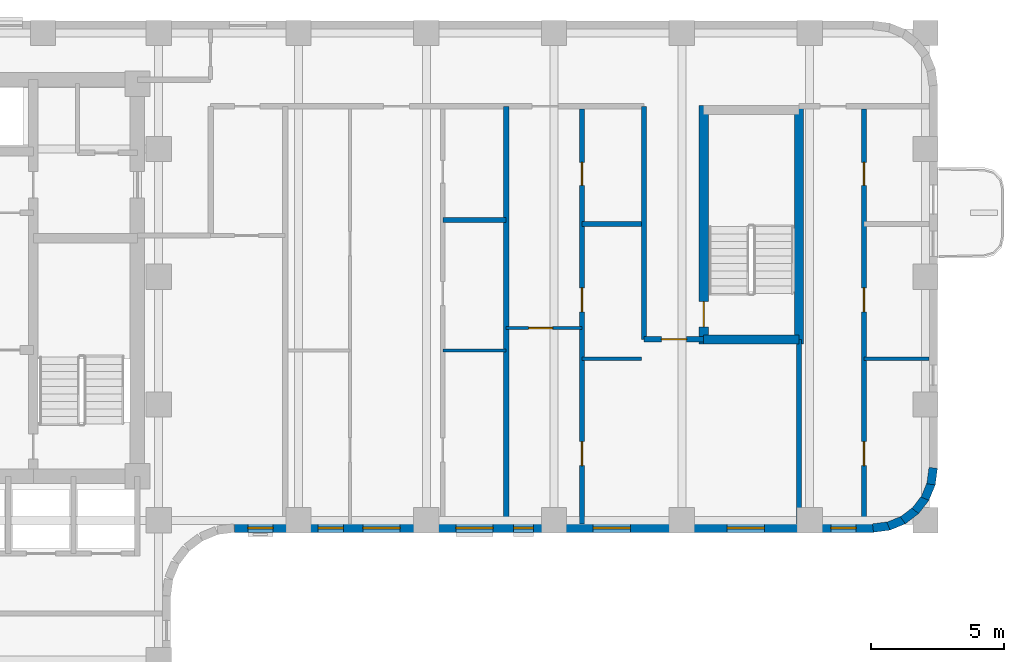
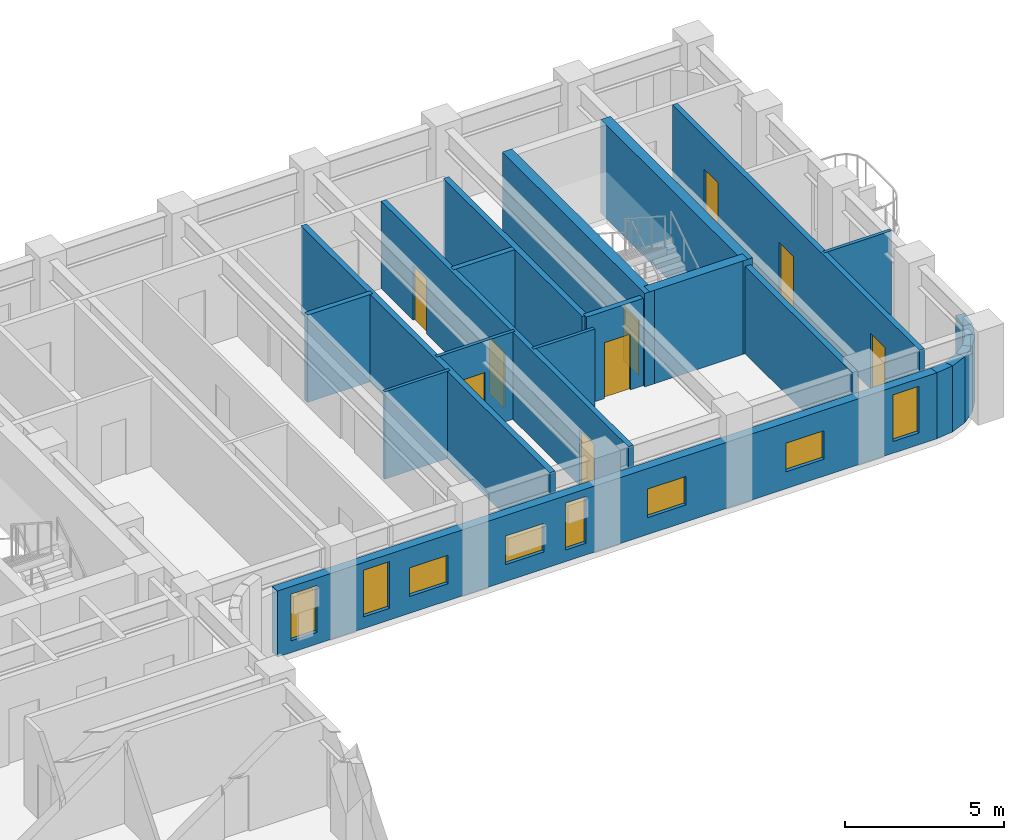
# One storey, part 5 of 10: 22 walls, 9 doors, 8 windows, 17 openings.
"""IFC4 building model written with IfcOpenShell, lengths in metres."""

from ifc_helpers import new_model, si_unit, direction, frame, frame_2d, origin, place, context, subcontext, project, spatial, rectangle, extrude, material, layer, layer_set, type_object, element, fill, save


model = new_model("IFC4")

# Units and contexts
model_context = context("Model", 3, precision=1e-05, world=origin(), true_north=direction((0.0, 1.0)))
body_context = subcontext(model_context, "Body", "Model", "MODEL_VIEW")
ifc_project = project(units=[si_unit("LENGTHUNIT", "METRE"), si_unit("AREAUNIT", "SQUARE_METRE"), si_unit("VOLUMEUNIT", "CUBIC_METRE"), si_unit("PLANEANGLEUNIT", "RADIAN"), si_unit("MASSUNIT", "GRAM", prefix="KILO")], contexts=[model_context])

# Site, building, storey
site_placement = place(None, origin())
site = spatial("IfcSite", under=ifc_project, at=site_placement, CompositionType="ELEMENT")
building_placement = place(site_placement, origin())
building = spatial("IfcBuilding", under=site, at=building_placement, Name="Orvandelia Arch Residences", CompositionType="ELEMENT")
storey_placement = place(building_placement, frame((0.0, 0.0, 143.199951171875)))
storey = spatial("IfcBuildingStorey", under=building, at=storey_placement, Name="L37", CompositionType="ELEMENT", Elevation=143.199951171875)

# Wall, opening, door
ifc_material_1 = material(Name="Concrete C50/60", Category="concrete")
ifc_layer_1 = layer(ifc_material_1, 0.35009765625, Name="Concrete C50/60", Category="concrete")
ifc_layer_set_1 = layer_set([ifc_layer_1], Name="Concrete C50/60")
wall_type_1 = type_object("IfcWallType", Name="WL-CORE-350", PredefinedType="SHEAR", material=ifc_layer_set_1)
wall_1_placement = place(storey_placement, frame((44.02001953125, 35.864990234375, 0.0), z_axis=(0.0, 0.0, 1.0), x_axis=(0.0, 1.0, 0.0)))
wall_1 = element("IfcWall", 1, at=wall_1_placement, inside=storey, type_object=wall_type_1, Name="East Stair Core Shear Wall L37-W", PredefinedType="SHEAR", context=body_context, shape_type="SweptSolid", body=[
    extrude(rectangle(XDim=8.969970703125, YDim=0.35009765625, at=frame_2d((4.48486328125, 0.0))), origin(), (0.0, 0.0, 1.0), 3.60009765625),
])
opening_1_placement = place(wall_1_placement, frame((0.64990234375, 0.0, 0.0)))
opening_1 = element("IfcOpeningElement", 2, at=opening_1_placement, cuts=wall_1, Name="Opening D7", PredefinedType="OPENING", context=body_context, shape_type="SweptSolid", body=[
    extrude(rectangle(XDim=0.949951171875, YDim=2.10009765625, at=frame_2d((0.47509765625, 1.050048828125))), frame((0.0, 0.18505859375, 0.0), z_axis=(0.0, -1.0, 0.0), x_axis=(1.0, 0.0, 0.0)), (0.0, 0.0, 1.0), 0.3701171875),
])
ifc_material_2 = material(Name="Pressurised Stairwell Fire Door")
door_type_1 = type_object("IfcDoorType", Name="DR-STAIR-950", OperationType="NOTDEFINED", PredefinedType="DOOR", material=ifc_material_2)
door_1_placement = place(opening_1_placement, origin())
door_1 = element("IfcDoor", 3, at=door_1_placement, inside=storey, type_object=door_type_1, Name="East Stairwell ST-3 Fire Door L37", OperationType="SINGLE_SWING_LEFT", OverallHeight=2.10009765625, OverallWidth=0.949951171875, PredefinedType="DOOR", context=body_context, shape_type="SweptSolid", body=[
    extrude(rectangle(XDim=0.949951171875, YDim=2.10009765625, at=frame_2d((0.47509765625, 1.050048828125))), frame((0.0, 0.02490234375, 0.0), z_axis=(0.0, -1.0, 0.0), x_axis=(1.0, 0.0, 0.0)), (0.0, 0.0, 1.0), 0.050048828125),
])
fill(opening_1, door_1)

# Walls
wall_2_placement = place(storey_placement, frame((47.60009765625, 35.864990234375, 0.0), z_axis=(0.0, 0.0, 1.0), x_axis=(0.0, 1.0, 0.0)))
element("IfcWall", 4, at=wall_2_placement, inside=storey, type_object=wall_type_1, Name="East Stair Core Shear Wall L37-E", PredefinedType="SHEAR", context=body_context, shape_type="SweptSolid", body=[
    extrude(rectangle(XDim=8.969970703125, YDim=0.35009765625, at=frame_2d((4.48486328125, 0.0))), origin(), (0.0, 0.0, 1.0), 3.60009765625),
])
wall_3_placement = place(storey_placement, frame((44.02001953125, 36.0400390625, 0.0), z_axis=(0.0, 0.0, 1.0), x_axis=(1.0, 0.0, 0.0)))
element("IfcWall", 5, at=wall_3_placement, inside=storey, type_object=wall_type_1, Name="East Stair Core Shear Wall L37-S", PredefinedType="SHEAR", context=body_context, shape_type="SweptSolid", body=[
    extrude(rectangle(XDim=3.580078125, YDim=0.35009765625, at=frame_2d((1.7900390625, 0.0))), origin(), (0.0, 0.0, 1.0), 3.60009765625),
])
ifc_material_3 = material(Name="Fire-Rated Corridor Partition")
ifc_layer_2 = layer(ifc_material_3, 0.199951171875, Name="Fire-Rated Corridor Partition")
ifc_layer_set_2 = layer_set([ifc_layer_2], Name="Fire-Rated Corridor Partition")
wall_type_2 = type_object("IfcWallType", Name="WL-CORR-200", PredefinedType="PARTITIONING", material=ifc_layer_set_2)
wall_4_placement = place(storey_placement, frame((41.780029296875, 36.050048828125, 0.0), z_axis=(0.0, 0.0, 1.0), x_axis=(0.0, 1.0, 0.0)))
element("IfcWall", 6, at=wall_4_placement, inside=storey, type_object=wall_type_2, Name="Interior Partition Wall WL-L37-EN2-SW", PredefinedType="PARTITIONING", context=body_context, shape_type="SweptSolid", body=[
    extrude(rectangle(XDim=8.75, YDim=0.199951171875, at=frame_2d((4.375, 0.0))), origin(), (0.0, 0.0, 1.0), 3.360107421875),
])

# Wall, opening, door
wall_5_placement = place(storey_placement, frame((41.780029296875, 36.050048828125, 0.0), z_axis=(0.0, 0.0, 1.0), x_axis=(1.0, 0.0, 0.0)))
wall_5 = element("IfcWall", 7, at=wall_5_placement, inside=storey, type_object=wall_type_2, Name="Interior Partition Wall WL-L37-EN2-SS", PredefinedType="PARTITIONING", context=body_context, shape_type="SweptSolid", body=[
    extrude(rectangle(XDim=2.239990234375, YDim=0.199951171875, at=frame_2d((1.1201171875, 0.0))), origin(), (0.0, 0.0, 1.0), 3.360107421875),
])
opening_2_placement = place(wall_5_placement, frame((0.64990234375, 0.0, 0.0)))
opening_2 = element("IfcOpeningElement", 8, at=opening_2_placement, cuts=wall_5, Name="Opening D2", PredefinedType="OPENING", context=body_context, shape_type="SweptSolid", body=[
    extrude(rectangle(XDim=0.949951171875, YDim=2.14990234375, at=frame_2d((0.47509765625, 1.074951171875))), frame((0.0, 0.10986328125, 0.0), z_axis=(0.0, -1.0, 0.0), x_axis=(1.0, 0.0, 0.0)), (0.0, 0.0, 1.0), 0.219970703125),
])
ifc_material_4 = material(Name="Solid-Core Timber Interior Fire Door", Category="wood")
door_type_2 = type_object("IfcDoorType", Name="DR-APT-950", OperationType="NOTDEFINED", PredefinedType="DOOR", material=ifc_material_4)
door_2_placement = place(opening_2_placement, origin())
door_2 = element("IfcDoor", 9, at=door_2_placement, inside=storey, type_object=door_type_2, Name="DR-L37-EN2SLN", OperationType="SINGLE_SWING_LEFT", OverallHeight=2.14990234375, OverallWidth=0.949951171875, PredefinedType="DOOR", context=body_context, shape_type="SweptSolid", body=[
    extrude(rectangle(XDim=0.949951171875, YDim=2.14990234375, at=frame_2d((0.47509765625, 1.074951171875))), frame((0.0, 0.02490234375, 0.0), z_axis=(0.0, -1.0, 0.0), x_axis=(1.0, 0.0, 0.0)), (0.0, 0.0, 1.0), 0.050048828125),
])
fill(opening_2, door_2)

# Walls
ifc_material_5 = material(Name="Concrete C40/50", Category="concrete")
ifc_layer_3 = layer(ifc_material_5, 0.199951171875, Name="Concrete C40/50", Category="concrete")
ifc_layer_set_3 = layer_set([ifc_layer_3], Name="Concrete C40/50")
wall_type_3 = type_object("IfcWallType", Name="WL-DEM-200", PredefinedType="SOLIDWALL", material=ifc_layer_set_3)
wall_6_placement = place(storey_placement, frame((36.60009765625, 29.1201171875, 0.0), z_axis=(0.0, 0.0, 1.0), x_axis=(0.0, 1.0, 0.0)))
element("IfcWall", 10, at=wall_6_placement, inside=storey, type_object=wall_type_3, Name="Interior Partition Wall WL-L37-DEM-EN2-366", PredefinedType="SOLIDWALL", context=body_context, shape_type="SweptSolid", body=[
    extrude(rectangle(XDim=15.679931640625, YDim=0.199951171875, at=frame_2d((7.83984375, 0.0))), origin(), (0.0, 0.0, 1.0), 3.360107421875),
])
wall_7_placement = place(storey_placement, frame((47.60009765625, 29.1201171875, 0.0), z_axis=(0.0, 0.0, 1.0), x_axis=(0.0, 1.0, 0.0)))
element("IfcWall", 11, at=wall_7_placement, inside=storey, type_object=wall_type_3, Name="Interior Partition Wall WL-L37-EN2-SLE", PredefinedType="SOLIDWALL", context=body_context, shape_type="SweptSolid", body=[
    extrude(rectangle(XDim=6.919921875, YDim=0.199951171875, at=frame_2d((3.4599609375, 0.0))), origin(), (0.0, 0.0, 1.0), 3.360107421875),
])
ifc_material_6 = material(Name="Precast concrete C40/50", Category="concrete")
ifc_layer_4 = layer(ifc_material_6, 0.320068359375, Name="Precast concrete C40/50", Category="concrete")
ifc_layer_set_4 = layer_set([ifc_layer_4], Name="Precast concrete C40/50")
wall_type_4 = type_object("IfcWallType", Name="WL-EXT-STONE-320", PredefinedType="STANDARD", material=ifc_layer_set_4)
wall_8_placement = place(storey_placement, frame((52.641357421875, 31.220947265625, 0.0), z_axis=(0.0, 0.0, 1.0), x_axis=(-0.130504898859, -0.991447664465, 0.0)))
element("IfcWall", 12, at=wall_8_placement, inside=storey, type_object=wall_type_4, Name="Coral-Limestone Precast Facade Wall L37-015", PredefinedType="STANDARD", context=body_context, shape_type="SweptSolid", body=[
    extrude(rectangle(XDim=0.626708984375, YDim=0.320068359375, at=frame_2d((0.3134765625, 0.0))), origin(), (0.0, 0.0, 1.0), 2.5400390625),
])
wall_9_placement = place(storey_placement, frame((52.5703125, 30.639892578125, 0.0), z_axis=(0.0, 0.0, 1.0), x_axis=(-0.382455093999, -0.923974080304, 0.0)))
element("IfcWall", 13, at=wall_9_placement, inside=storey, type_object=wall_type_4, Name="Coral-Limestone Precast Facade Wall L37-016", PredefinedType="STANDARD", context=body_context, shape_type="SweptSolid", body=[
    extrude(rectangle(XDim=0.626220703125, YDim=0.320068359375, at=frame_2d((0.31298828125, 0.0))), origin(), (0.0, 0.0, 1.0), 2.5400390625),
])
wall_10_placement = place(storey_placement, frame((52.3515625, 30.097412109375, 0.0), z_axis=(0.0, 0.0, 1.0), x_axis=(-0.608693302629, -0.793405610854, 0.0)))
element("IfcWall", 14, at=wall_10_placement, inside=storey, type_object=wall_type_4, Name="Coral-Limestone Precast Facade Wall L37-017", PredefinedType="STANDARD", context=body_context, shape_type="SweptSolid", body=[
    extrude(rectangle(XDim=0.62646484375, YDim=0.320068359375, at=frame_2d((0.313232421875, 0.0))), origin(), (0.0, 0.0, 1.0), 2.5400390625),
])
wall_11_placement = place(storey_placement, frame((51.999755859375, 29.6298828125, 0.0), z_axis=(0.0, 0.0, 1.0), x_axis=(-0.7932174212, -0.608938521285, 0.0)))
element("IfcWall", 15, at=wall_11_placement, inside=storey, type_object=wall_type_4, Name="Coral-Limestone Precast Facade Wall L37-018", PredefinedType="STANDARD", context=body_context, shape_type="SweptSolid", body=[
    extrude(rectangle(XDim=0.626708984375, YDim=0.320068359375, at=frame_2d((0.3134765625, 0.0))), origin(), (0.0, 0.0, 1.0), 2.5400390625),
])
for number, where, z_axis, x_axis, name in (
    (16, (51.538818359375, 29.269287109375, 0.0), (0.0, 0.0, 1.0), (-0.92389335771, -0.382650053678, 0.0), "Coral-Limestone Precast Facade Wall L37-019"),
    (17, (51.000244140625, 29.040283203125, 0.0), (0.0, 0.0, 1.0), (-0.9914410257, -0.130555323746, 0.0), "Coral-Limestone Precast Facade Wall L37-020"),
):
    element("IfcWall", number, at=place(storey_placement, frame(where, z_axis=z_axis, x_axis=x_axis)), inside=storey, type_object=wall_type_4, Name=name, PredefinedType="STANDARD", context=body_context, shape_type="SweptSolid", body=[
        extrude(rectangle(XDim=0.62646484375, YDim=0.320068359375, at=frame_2d((0.313232421875, 0.0))), origin(), (0.0, 0.0, 1.0), 2.5400390625),
    ])

# Wall, openings, windows
wall_12_placement = place(storey_placement, frame((50.39990234375, 28.9599609375, 0.0), z_axis=(0.0, 0.0, 1.0), x_axis=(-1.0, 0.0, 0.0)))
wall_12 = element("IfcWall", 18, at=wall_12_placement, inside=storey, type_object=wall_type_4, Name="Coral-Limestone Precast Facade Wall L37-021", PredefinedType="STANDARD", context=body_context, shape_type="SweptSolid", body=[
    extrude(rectangle(XDim=24.0, YDim=0.320068359375, at=frame_2d((12.0, 0.0))), origin(), (0.0, 0.0, 1.0), 2.5400390625),
])
opening_3_placement = place(wall_12_placement, frame((14.2900390625, 0.0, 0.64990234375)))
opening_3 = element("IfcOpeningElement", 19, at=opening_3_placement, cuts=wall_12, Name="Opening W10", PredefinedType="OPENING", context=body_context, shape_type="SweptSolid", body=[
    extrude(rectangle(XDim=1.39990234375, YDim=1.10009765625, at=frame_2d((0.699951171875, 0.550048828125))), frame((0.0, 0.169921875, 0.0), z_axis=(0.0, -1.0, 0.0), x_axis=(1.0, 0.0, 0.0)), (0.0, 0.0, 1.0), 0.340087890625),
])
opening_4_placement = place(wall_12_placement, frame((19.912109375, 0.0, 0.449951171875)))
opening_4 = element("IfcOpeningElement", 20, at=opening_4_placement, cuts=wall_12, Name="Opening W4", PredefinedType="OPENING", context=body_context, shape_type="SweptSolid", body=[
    extrude(rectangle(XDim=0.949951171875, YDim=1.800048828125, at=frame_2d((0.47509765625, 0.89990234375))), frame((0.0, 0.169921875, 0.0), z_axis=(0.0, -1.0, 0.0), x_axis=(1.0, 0.0, 0.0)), (0.0, 0.0, 1.0), 0.340087890625),
])
opening_5_placement = place(wall_12_placement, frame((9.135009765625, 0.0, 0.64990234375)))
opening_5 = element("IfcOpeningElement", 21, at=opening_5_placement, cuts=wall_12, Name="Opening W10", PredefinedType="OPENING", context=body_context, shape_type="SweptSolid", body=[
    extrude(rectangle(XDim=1.39990234375, YDim=1.10009765625, at=frame_2d((0.699951171875, 0.550048828125))), frame((0.0, 0.169921875, 0.0), z_axis=(0.0, -1.0, 0.0), x_axis=(1.0, 0.0, 0.0)), (0.0, 0.0, 1.0), 0.340087890625),
])
opening_6_placement = place(wall_12_placement, frame((22.554931640625, 0.0, 0.449951171875)))
opening_6 = element("IfcOpeningElement", 22, at=opening_6_placement, cuts=wall_12, Name="Opening W4", PredefinedType="OPENING", context=body_context, shape_type="SweptSolid", body=[
    extrude(rectangle(XDim=0.949951171875, YDim=1.800048828125, at=frame_2d((0.47509765625, 0.89990234375))), frame((0.0, 0.169921875, 0.0), z_axis=(0.0, -1.0, 0.0), x_axis=(1.0, 0.0, 0.0)), (0.0, 0.0, 1.0), 0.340087890625),
])
opening_7_placement = place(wall_12_placement, frame((4.10009765625, 0.0, 0.64990234375)))
opening_7 = element("IfcOpeningElement", 23, at=opening_7_placement, cuts=wall_12, Name="Opening W10", PredefinedType="OPENING", context=body_context, shape_type="SweptSolid", body=[
    extrude(rectangle(XDim=1.39990234375, YDim=1.10009765625, at=frame_2d((0.699951171875, 0.550048828125))), frame((0.0, 0.169921875, 0.0), z_axis=(0.0, -1.0, 0.0), x_axis=(1.0, 0.0, 0.0)), (0.0, 0.0, 1.0), 0.340087890625),
])
opening_8_placement = place(wall_12_placement, frame((17.781982421875, 0.0, 0.64990234375)))
opening_8 = element("IfcOpeningElement", 24, at=opening_8_placement, cuts=wall_12, Name="Opening W10", PredefinedType="OPENING", context=body_context, shape_type="SweptSolid", body=[
    extrude(rectangle(XDim=1.39990234375, YDim=1.10009765625, at=frame_2d((0.699951171875, 0.550048828125))), frame((0.0, 0.169921875, 0.0), z_axis=(0.0, -1.0, 0.0), x_axis=(1.0, 0.0, 0.0)), (0.0, 0.0, 1.0), 0.340087890625),
])
opening_9_placement = place(wall_12_placement, frame((12.7724609375, 0.0, 0.449951171875)))
opening_9 = element("IfcOpeningElement", 25, at=opening_9_placement, cuts=wall_12, Name="Opening W11", PredefinedType="OPENING", context=body_context, shape_type="SweptSolid", body=[
    extrude(rectangle(XDim=0.75, YDim=1.800048828125, at=frame_2d((0.375, 0.89990234375))), frame((0.0, 0.169921875, 0.0), z_axis=(0.0, -1.0, 0.0), x_axis=(1.0, 0.0, 0.0)), (0.0, 0.0, 1.0), 0.340087890625),
])
opening_10_placement = place(wall_12_placement, frame((0.656005859375, 0.0, 0.449951171875)))
opening_10 = element("IfcOpeningElement", 26, at=opening_10_placement, cuts=wall_12, Name="Opening W4", PredefinedType="OPENING", context=body_context, shape_type="SweptSolid", body=[
    extrude(rectangle(XDim=0.949951171875, YDim=1.800048828125, at=frame_2d((0.47509765625, 0.89990234375))), frame((0.0, 0.169921875, 0.0), z_axis=(0.0, -1.0, 0.0), x_axis=(1.0, 0.0, 0.0)), (0.0, 0.0, 1.0), 0.340087890625),
])
ifc_material_7 = material(Name="Tempered Low-E Insulated Glazing", Category="glass")
window_type_1 = type_object("IfcWindowType", Name="WIN-BED-0750x1800", PartitioningType="SINGLE_PANEL", PredefinedType="WINDOW", material=ifc_material_7)
window_1_placement = place(opening_9_placement, origin())
window_1 = element("IfcWindow", 27, at=window_1_placement, inside=storey, type_object=window_type_1, Name="Recessed Punched Window L37-012", OverallHeight=1.800048828125, OverallWidth=0.75, PartitioningType="SINGLE_PANEL", PredefinedType="WINDOW", context=body_context, shape_type="SweptSolid", body=[
    extrude(rectangle(XDim=0.75, YDim=1.800048828125, at=frame_2d((0.375, 0.89990234375))), frame((0.0, 0.030029296875, 0.0), z_axis=(0.0, -1.0, 0.0), x_axis=(1.0, 0.0, 0.0)), (0.0, 0.0, 1.0), 0.06005859375),
])
fill(opening_9, window_1)
window_type_2 = type_object("IfcWindowType", Name="WIN-CLR-1400x1100", PartitioningType="SINGLE_PANEL", PredefinedType="WINDOW", material=ifc_material_7)
window_2_placement = place(opening_3_placement, origin())
window_2 = element("IfcWindow", 28, at=window_2_placement, inside=storey, type_object=window_type_2, Name="Recessed Punched Window L37-006", OverallHeight=1.10009765625, OverallWidth=1.39990234375, PartitioningType="SINGLE_PANEL", PredefinedType="WINDOW", context=body_context, shape_type="SweptSolid", body=[
    extrude(rectangle(XDim=1.39990234375, YDim=1.10009765625, at=frame_2d((0.699951171875, 0.550048828125))), frame((0.0, 0.030029296875, 0.0), z_axis=(0.0, -1.0, 0.0), x_axis=(1.0, 0.0, 0.0)), (0.0, 0.0, 1.0), 0.06005859375),
])
fill(opening_3, window_2)
window_3_placement = place(opening_5_placement, origin())
window_3 = element("IfcWindow", 29, at=window_3_placement, inside=storey, type_object=window_type_2, Name="Recessed Punched Window L37-008", OverallHeight=1.10009765625, OverallWidth=1.39990234375, PartitioningType="SINGLE_PANEL", PredefinedType="WINDOW", context=body_context, shape_type="SweptSolid", body=[
    extrude(rectangle(XDim=1.39990234375, YDim=1.10009765625, at=frame_2d((0.699951171875, 0.550048828125))), frame((0.0, 0.030029296875, 0.0), z_axis=(0.0, -1.0, 0.0), x_axis=(1.0, 0.0, 0.0)), (0.0, 0.0, 1.0), 0.06005859375),
])
fill(opening_5, window_3)
window_4_placement = place(opening_7_placement, origin())
window_4 = element("IfcWindow", 30, at=window_4_placement, inside=storey, type_object=window_type_2, Name="Recessed Punched Window L37-010", OverallHeight=1.10009765625, OverallWidth=1.39990234375, PartitioningType="SINGLE_PANEL", PredefinedType="WINDOW", context=body_context, shape_type="SweptSolid", body=[
    extrude(rectangle(XDim=1.39990234375, YDim=1.10009765625, at=frame_2d((0.699951171875, 0.550048828125))), frame((0.0, 0.030029296875, 0.0), z_axis=(0.0, -1.0, 0.0), x_axis=(1.0, 0.0, 0.0)), (0.0, 0.0, 1.0), 0.06005859375),
])
fill(opening_7, window_4)
window_5_placement = place(opening_8_placement, origin())
window_5 = element("IfcWindow", 31, at=window_5_placement, inside=storey, type_object=window_type_2, Name="Recessed Punched Window L37-011", OverallHeight=1.10009765625, OverallWidth=1.39990234375, PartitioningType="SINGLE_PANEL", PredefinedType="WINDOW", context=body_context, shape_type="SweptSolid", body=[
    extrude(rectangle(XDim=1.39990234375, YDim=1.10009765625, at=frame_2d((0.699951171875, 0.550048828125))), frame((0.0, 0.030029296875, 0.0), z_axis=(0.0, -1.0, 0.0), x_axis=(1.0, 0.0, 0.0)), (0.0, 0.0, 1.0), 0.06005859375),
])
fill(opening_8, window_5)
window_type_3 = type_object("IfcWindowType", Name="WIN-RES-0950x1800", PartitioningType="SINGLE_PANEL", PredefinedType="WINDOW", material=ifc_material_7)
window_6_placement = place(opening_4_placement, origin())
window_6 = element("IfcWindow", 32, at=window_6_placement, inside=storey, type_object=window_type_3, Name="Recessed Punched Window L37-007", OverallHeight=1.800048828125, OverallWidth=0.949951171875, PartitioningType="SINGLE_PANEL", PredefinedType="WINDOW", context=body_context, shape_type="SweptSolid", body=[
    extrude(rectangle(XDim=0.949951171875, YDim=1.800048828125, at=frame_2d((0.47509765625, 0.89990234375))), frame((0.0, 0.030029296875, 0.0), z_axis=(0.0, -1.0, 0.0), x_axis=(1.0, 0.0, 0.0)), (0.0, 0.0, 1.0), 0.06005859375),
])
fill(opening_4, window_6)
window_7_placement = place(opening_6_placement, origin())
window_7 = element("IfcWindow", 33, at=window_7_placement, inside=storey, type_object=window_type_3, Name="Recessed Punched Window L37-009", OverallHeight=1.800048828125, OverallWidth=0.949951171875, PartitioningType="SINGLE_PANEL", PredefinedType="WINDOW", context=body_context, shape_type="SweptSolid", body=[
    extrude(rectangle(XDim=0.949951171875, YDim=1.800048828125, at=frame_2d((0.47509765625, 0.89990234375))), frame((0.0, 0.030029296875, 0.0), z_axis=(0.0, -1.0, 0.0), x_axis=(1.0, 0.0, 0.0)), (0.0, 0.0, 1.0), 0.06005859375),
])
fill(opening_6, window_7)
window_8_placement = place(opening_10_placement, origin())
window_8 = element("IfcWindow", 34, at=window_8_placement, inside=storey, type_object=window_type_3, Name="Recessed Punched Window L37-013", OverallHeight=1.800048828125, OverallWidth=0.949951171875, PartitioningType="SINGLE_PANEL", PredefinedType="WINDOW", context=body_context, shape_type="SweptSolid", body=[
    extrude(rectangle(XDim=0.949951171875, YDim=1.800048828125, at=frame_2d((0.47509765625, 0.89990234375))), frame((0.0, 0.030029296875, 0.0), z_axis=(0.0, -1.0, 0.0), x_axis=(1.0, 0.0, 0.0)), (0.0, 0.0, 1.0), 0.06005859375),
])
fill(opening_10, window_8)

# Wall
ifc_material_8 = material(Name="Lightweight Gypsum Stud Partition")
ifc_layer_5 = layer(ifc_material_8, 0.1201171875, Name="Lightweight Gypsum Stud Partition")
ifc_layer_set_5 = layer_set([ifc_layer_5], Name="Lightweight Gypsum Stud Partition")
wall_type_5 = type_object("IfcWallType", Name="WL-PART-120", PredefinedType="PARTITIONING", material=ifc_layer_set_5)
wall_13_placement = place(storey_placement, frame((34.219970703125, 35.62890625, 0.0), z_axis=(0.0, 0.0, 1.0), x_axis=(1.0, 0.0, 0.0)))
element("IfcWall", 35, at=wall_13_placement, inside=storey, type_object=wall_type_5, Name="Interior Partition Wall WL-L37-U03-H1", PredefinedType="PARTITIONING", context=body_context, shape_type="SweptSolid", body=[
    extrude(rectangle(XDim=2.380126953125, YDim=0.1201171875, at=frame_2d((1.18994140625, 0.0))), origin(), (0.0, 0.0, 1.0), 3.360107421875),
])

# Wall, opening, door
wall_14_placement = place(storey_placement, frame((36.60009765625, 36.468017578125, 0.0), z_axis=(0.0, 0.0, 1.0), x_axis=(1.0, 0.0, 0.0)))
wall_14 = element("IfcWall", 36, at=wall_14_placement, inside=storey, type_object=wall_type_5, Name="Interior Partition Wall WL-L37-U04-DIN", PredefinedType="PARTITIONING", context=body_context, shape_type="SweptSolid", body=[
    extrude(rectangle(XDim=2.849853515625, YDim=0.1201171875, at=frame_2d((1.4248046875, 0.0))), origin(), (0.0, 0.0, 1.0), 3.360107421875),
])
opening_11_placement = place(wall_14_placement, frame((0.841552734375, 0.0, 0.0)))
opening_11 = element("IfcOpeningElement", 37, at=opening_11_placement, cuts=wall_14, Name="Opening D3", PredefinedType="OPENING", context=body_context, shape_type="SweptSolid", body=[
    extrude(rectangle(XDim=0.89990234375, YDim=2.14990234375, at=frame_2d((0.449951171875, 1.074951171875))), frame((0.0, 0.070068359375, 0.0), z_axis=(0.0, -1.0, 0.0), x_axis=(1.0, 0.0, 0.0)), (0.0, 0.0, 1.0), 0.14013671875),
])
ifc_material_9 = material(Name="Engineered Timber Flush Door", Category="wood")
door_type_3 = type_object("IfcDoorType", Name="DR-INT-900", OperationType="NOTDEFINED", PredefinedType="DOOR", material=ifc_material_9)
door_3_placement = place(opening_11_placement, origin())
door_3 = element("IfcDoor", 38, at=door_3_placement, inside=storey, type_object=door_type_3, Name="DR-L37-U04-DIN", OperationType="SINGLE_SWING_LEFT", OverallHeight=2.14990234375, OverallWidth=0.89990234375, PredefinedType="DOOR", context=body_context, shape_type="SweptSolid", body=[
    extrude(rectangle(XDim=0.89990234375, YDim=2.14990234375, at=frame_2d((0.449951171875, 1.074951171875))), frame((0.0, 0.02490234375, 0.0), z_axis=(0.0, -1.0, 0.0), x_axis=(1.0, 0.0, 0.0)), (0.0, 0.0, 1.0), 0.050048828125),
])
fill(opening_11, door_3)

# Walls
wall_15_placement = place(storey_placement, frame((39.449951171875, 35.31591796875, 0.0), z_axis=(0.0, 0.0, 1.0), x_axis=(1.0, 0.0, 0.0)))
element("IfcWall", 39, at=wall_15_placement, inside=storey, type_object=wall_type_5, Name="Interior Partition Wall WL-L37-U04-H1", PredefinedType="PARTITIONING", context=body_context, shape_type="SweptSolid", body=[
    extrude(rectangle(XDim=2.22998046875, YDim=0.1201171875, at=frame_2d((1.114990234375, 0.0))), origin(), (0.0, 0.0, 1.0), 3.360107421875),
])
wall_16_placement = place(storey_placement, frame((50.04296875, 35.31591796875, 0.0), z_axis=(0.0, 0.0, 1.0), x_axis=(1.0, 0.0, 0.0)))
element("IfcWall", 40, at=wall_16_placement, inside=storey, type_object=wall_type_5, Name="Interior Partition Wall WL-L37-U05-H1", PredefinedType="PARTITIONING", context=body_context, shape_type="SweptSolid", body=[
    extrude(rectangle(XDim=2.43701171875, YDim=0.1201171875, at=frame_2d((1.218505859375, 0.0))), origin(), (0.0, 0.0, 1.0), 3.360107421875),
])
ifc_material_10 = material(Name="Moisture-Resistant Plumbing Wall")
ifc_layer_6 = layer(ifc_material_10, 0.179931640625, Name="Moisture-Resistant Plumbing Wall")
ifc_layer_set_6 = layer_set([ifc_layer_6], Name="Moisture-Resistant Plumbing Wall")
wall_type_6 = type_object("IfcWallType", Name="WL-WET-180", PredefinedType="PLUMBINGWALL", material=ifc_layer_set_6)
wall_17_placement = place(storey_placement, frame((34.219970703125, 40.527099609375, 0.0), z_axis=(0.0, 0.0, 1.0), x_axis=(1.0, 0.0, 0.0)))
element("IfcWall", 41, at=wall_17_placement, inside=storey, type_object=wall_type_6, Name="Interior Partition Wall WL-L37-U03-H2", PredefinedType="PLUMBINGWALL", context=body_context, shape_type="SweptSolid", body=[
    extrude(rectangle(XDim=2.380126953125, YDim=0.179931640625, at=frame_2d((1.18994140625, 0.0))), origin(), (0.0, 0.0, 1.0), 3.360107421875),
])

# Wall, openings, doors
wall_18_placement = place(storey_placement, frame((39.449951171875, 29.1201171875, 0.0), z_axis=(0.0, 0.0, 1.0), x_axis=(0.0, 1.0, 0.0)))
wall_18 = element("IfcWall", 42, at=wall_18_placement, inside=storey, type_object=wall_type_6, Name="Interior Partition Wall WL-L37-U04-VT", PredefinedType="PLUMBINGWALL", context=body_context, shape_type="SweptSolid", body=[
    extrude(rectangle(XDim=15.579833984375, YDim=0.179931640625, at=frame_2d((7.7900390625, 0.0))), origin(), (0.0, 0.0, 1.0), 3.360107421875),
])
opening_12_placement = place(wall_18_placement, frame((2.1826171875, 0.0, 0.0)))
opening_12 = element("IfcOpeningElement", 43, at=opening_12_placement, cuts=wall_18, Name="Opening D3", PredefinedType="OPENING", context=body_context, shape_type="SweptSolid", body=[
    extrude(rectangle(XDim=0.89990234375, YDim=2.14990234375, at=frame_2d((0.449951171875, 1.074951171875))), frame((0.0, 0.10009765625, 0.0), z_axis=(0.0, -1.0, 0.0), x_axis=(1.0, 0.0, 0.0)), (0.0, 0.0, 1.0), 0.199951171875),
])
opening_13_placement = place(wall_18_placement, frame((7.958740234375, 0.0, 0.0)))
opening_13 = element("IfcOpeningElement", 44, at=opening_13_placement, cuts=wall_18, Name="Opening D3", PredefinedType="OPENING", context=body_context, shape_type="SweptSolid", body=[
    extrude(rectangle(XDim=0.89990234375, YDim=2.14990234375, at=frame_2d((0.449951171875, 1.074951171875))), frame((0.0, 0.10009765625, 0.0), z_axis=(0.0, -1.0, 0.0), x_axis=(1.0, 0.0, 0.0)), (0.0, 0.0, 1.0), 0.199951171875),
])
opening_14_placement = place(wall_18_placement, frame((12.710693359375, 0.0, 0.0)))
opening_14 = element("IfcOpeningElement", 45, at=opening_14_placement, cuts=wall_18, Name="Opening D4", PredefinedType="OPENING", context=body_context, shape_type="SweptSolid", body=[
    extrude(rectangle(XDim=0.860107421875, YDim=2.10009765625, at=frame_2d((0.43017578125, 1.050048828125))), frame((0.0, 0.10009765625, 0.0), z_axis=(0.0, -1.0, 0.0), x_axis=(1.0, 0.0, 0.0)), (0.0, 0.0, 1.0), 0.199951171875),
])
door_4_placement = place(opening_12_placement, origin())
door_4 = element("IfcDoor", 46, at=door_4_placement, inside=storey, type_object=door_type_3, Name="DR-L37-U04-BD1", OperationType="SINGLE_SWING_RIGHT", OverallHeight=2.14990234375, OverallWidth=0.89990234375, PredefinedType="DOOR", context=body_context, shape_type="SweptSolid", body=[
    extrude(rectangle(XDim=0.89990234375, YDim=2.14990234375, at=frame_2d((0.449951171875, 1.074951171875))), frame((0.0, 0.02490234375, 0.0), z_axis=(0.0, -1.0, 0.0), x_axis=(1.0, 0.0, 0.0)), (0.0, 0.0, 1.0), 0.050048828125),
])
fill(opening_12, door_4)
door_5_placement = place(opening_13_placement, origin())
door_5 = element("IfcDoor", 47, at=door_5_placement, inside=storey, type_object=door_type_3, Name="DR-L37-U04-KIT", OperationType="SINGLE_SWING_LEFT", OverallHeight=2.14990234375, OverallWidth=0.89990234375, PredefinedType="DOOR", context=body_context, shape_type="SweptSolid", body=[
    extrude(rectangle(XDim=0.89990234375, YDim=2.14990234375, at=frame_2d((0.449951171875, 1.074951171875))), frame((0.0, 0.02490234375, 0.0), z_axis=(0.0, -1.0, 0.0), x_axis=(1.0, 0.0, 0.0)), (0.0, 0.0, 1.0), 0.050048828125),
])
fill(opening_13, door_5)
ifc_material_11 = material(Name="Moisture-Sealed Timber Bathroom Door", Category="wood")
door_type_4 = type_object("IfcDoorType", Name="DR-WET-900", OperationType="NOTDEFINED", PredefinedType="DOOR", material=ifc_material_11)
door_6_placement = place(opening_14_placement, origin())
door_6 = element("IfcDoor", 48, at=door_6_placement, inside=storey, type_object=door_type_4, Name="DR-L37-U04-BTH", OperationType="SINGLE_SWING_RIGHT", OverallHeight=2.10009765625, OverallWidth=0.860107421875, PredefinedType="DOOR", context=body_context, shape_type="SweptSolid", body=[
    extrude(rectangle(XDim=0.860107421875, YDim=2.10009765625, at=frame_2d((0.43017578125, 1.050048828125))), frame((0.0, 0.02490234375, 0.0), z_axis=(0.0, -1.0, 0.0), x_axis=(1.0, 0.0, 0.0)), (0.0, 0.0, 1.0), 0.050048828125),
])
fill(opening_14, door_6)

# Wall
wall_19_placement = place(storey_placement, frame((39.449951171875, 40.383056640625, 0.0), z_axis=(0.0, 0.0, 1.0), x_axis=(1.0, 0.0, 0.0)))
element("IfcWall", 49, at=wall_19_placement, inside=storey, type_object=wall_type_6, Name="Interior Partition Wall WL-L37-U04-H2", PredefinedType="PLUMBINGWALL", context=body_context, shape_type="SweptSolid", body=[
    extrude(rectangle(XDim=2.22998046875, YDim=0.179931640625, at=frame_2d((1.114990234375, 0.0))), origin(), (0.0, 0.0, 1.0), 3.360107421875),
])

# Wall, openings, doors
wall_20_placement = place(storey_placement, frame((50.04296875, 29.1201171875, 0.0), z_axis=(0.0, 0.0, 1.0), x_axis=(0.0, 1.0, 0.0)))
wall_20 = element("IfcWall", 50, at=wall_20_placement, inside=storey, type_object=wall_type_6, Name="Interior Partition Wall WL-L37-U05-VT", PredefinedType="PLUMBINGWALL", context=body_context, shape_type="SweptSolid", body=[
    extrude(rectangle(XDim=15.579833984375, YDim=0.179931640625, at=frame_2d((7.7900390625, 0.0))), origin(), (0.0, 0.0, 1.0), 3.360107421875),
])
opening_15_placement = place(wall_20_placement, frame((2.1826171875, 0.0, 0.0)))
opening_15 = element("IfcOpeningElement", 51, at=opening_15_placement, cuts=wall_20, Name="Opening D3", PredefinedType="OPENING", context=body_context, shape_type="SweptSolid", body=[
    extrude(rectangle(XDim=0.89990234375, YDim=2.14990234375, at=frame_2d((0.449951171875, 1.074951171875))), frame((0.0, 0.10009765625, 0.0), z_axis=(0.0, -1.0, 0.0), x_axis=(1.0, 0.0, 0.0)), (0.0, 0.0, 1.0), 0.199951171875),
])
opening_16_placement = place(wall_20_placement, frame((7.958740234375, 0.0, 0.0)))
opening_16 = element("IfcOpeningElement", 52, at=opening_16_placement, cuts=wall_20, Name="Opening D3", PredefinedType="OPENING", context=body_context, shape_type="SweptSolid", body=[
    extrude(rectangle(XDim=0.89990234375, YDim=2.14990234375, at=frame_2d((0.449951171875, 1.074951171875))), frame((0.0, 0.10009765625, 0.0), z_axis=(0.0, -1.0, 0.0), x_axis=(1.0, 0.0, 0.0)), (0.0, 0.0, 1.0), 0.199951171875),
])
opening_17_placement = place(wall_20_placement, frame((12.710693359375, 0.0, 0.0)))
opening_17 = element("IfcOpeningElement", 53, at=opening_17_placement, cuts=wall_20, Name="Opening D4", PredefinedType="OPENING", context=body_context, shape_type="SweptSolid", body=[
    extrude(rectangle(XDim=0.860107421875, YDim=2.10009765625, at=frame_2d((0.43017578125, 1.050048828125))), frame((0.0, 0.10009765625, 0.0), z_axis=(0.0, -1.0, 0.0), x_axis=(1.0, 0.0, 0.0)), (0.0, 0.0, 1.0), 0.199951171875),
])
door_7_placement = place(opening_15_placement, origin())
door_7 = element("IfcDoor", 54, at=door_7_placement, inside=storey, type_object=door_type_3, Name="DR-L37-U05-BD1", OperationType="SINGLE_SWING_LEFT", OverallHeight=2.14990234375, OverallWidth=0.89990234375, PredefinedType="DOOR", context=body_context, shape_type="SweptSolid", body=[
    extrude(rectangle(XDim=0.89990234375, YDim=2.14990234375, at=frame_2d((0.449951171875, 1.074951171875))), frame((0.0, 0.02490234375, 0.0), z_axis=(0.0, -1.0, 0.0), x_axis=(1.0, 0.0, 0.0)), (0.0, 0.0, 1.0), 0.050048828125),
])
fill(opening_15, door_7)
door_8_placement = place(opening_16_placement, origin())
door_8 = element("IfcDoor", 55, at=door_8_placement, inside=storey, type_object=door_type_3, Name="DR-L37-U05-KIT", OperationType="SINGLE_SWING_RIGHT", OverallHeight=2.14990234375, OverallWidth=0.89990234375, PredefinedType="DOOR", context=body_context, shape_type="SweptSolid", body=[
    extrude(rectangle(XDim=0.89990234375, YDim=2.14990234375, at=frame_2d((0.449951171875, 1.074951171875))), frame((0.0, 0.02490234375, 0.0), z_axis=(0.0, -1.0, 0.0), x_axis=(1.0, 0.0, 0.0)), (0.0, 0.0, 1.0), 0.050048828125),
])
fill(opening_16, door_8)
door_9_placement = place(opening_17_placement, origin())
door_9 = element("IfcDoor", 56, at=door_9_placement, inside=storey, type_object=door_type_4, Name="DR-L37-U05-BTH", OperationType="SINGLE_SWING_LEFT", OverallHeight=2.10009765625, OverallWidth=0.860107421875, PredefinedType="DOOR", context=body_context, shape_type="SweptSolid", body=[
    extrude(rectangle(XDim=0.860107421875, YDim=2.10009765625, at=frame_2d((0.43017578125, 1.050048828125))), frame((0.0, 0.02490234375, 0.0), z_axis=(0.0, -1.0, 0.0), x_axis=(1.0, 0.0, 0.0)), (0.0, 0.0, 1.0), 0.050048828125),
])
fill(opening_17, door_9)

save(model, "model.ifc")
